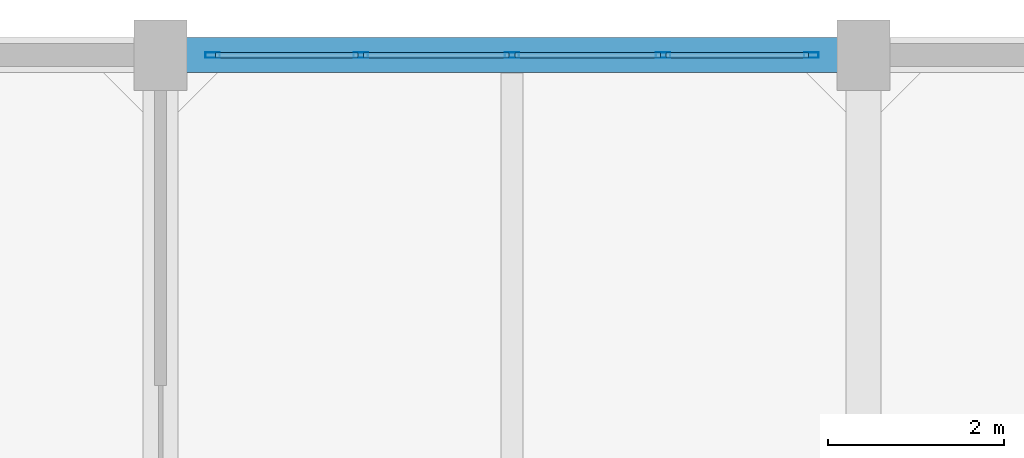
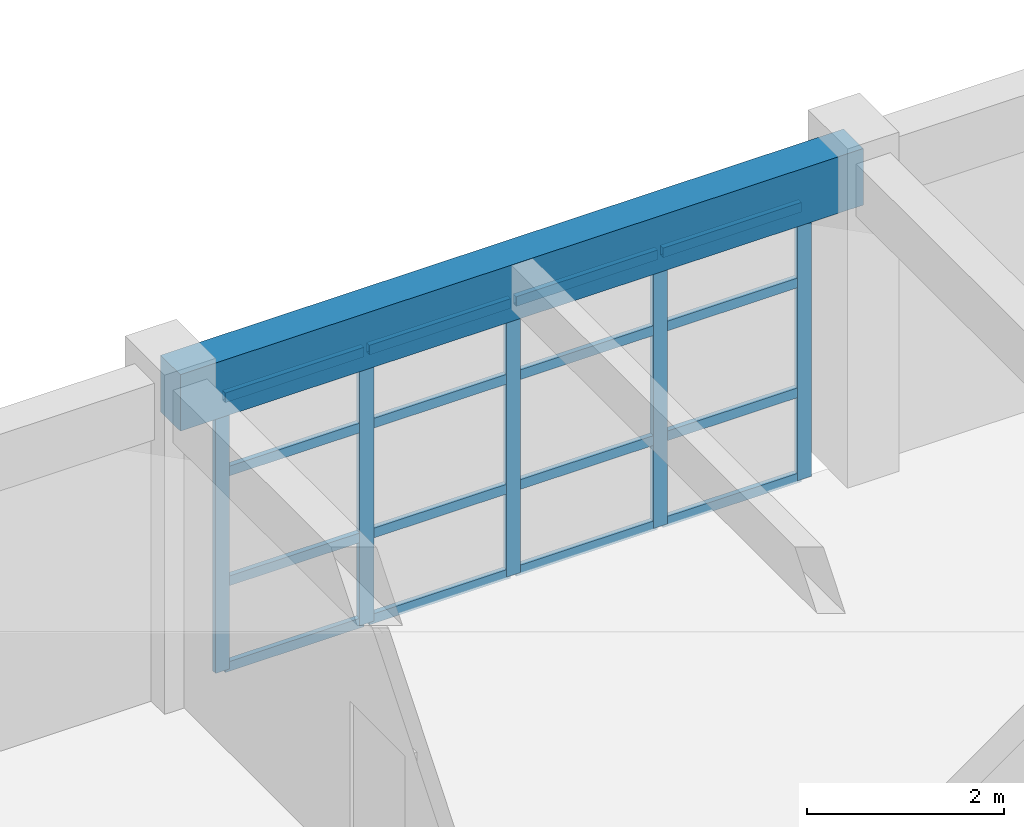
# One storey, part 17 of 27: 21 members, 1 beam, 1 element without a shape of its own.
"""IFC4 building model written with IfcOpenShell, lengths in metres."""

from ifc_helpers import new_model, si_unit, direction, frame, origin, origin_2d, place, context, subcontext, project, spatial, rectangle, hollow_rectangle, extrude, material, layer, layer_set, material_profile, profile_set, type_object, element, aggregate, save


model = new_model("IFC4")

# Units and contexts
model_context = context("Model", 3, precision=1e-05, world=origin(), true_north=direction((0.0, 1.0)))
body_context = subcontext(model_context, "Body", "Model", "MODEL_VIEW")
ifc_project = project(units=[si_unit("LENGTHUNIT", "METRE"), si_unit("AREAUNIT", "SQUARE_METRE"), si_unit("VOLUMEUNIT", "CUBIC_METRE"), si_unit("PLANEANGLEUNIT", "RADIAN"), si_unit("MASSUNIT", "GRAM", prefix="KILO")], contexts=[model_context])

# Site, building, storey
site_placement = place(None, origin())
site = spatial("IfcSite", under=ifc_project, at=site_placement, CompositionType="ELEMENT")
building_placement = place(site_placement, origin())
building = spatial("IfcBuilding", under=site, at=building_placement, Name="Canggui Botanical Conservatory", CompositionType="ELEMENT")
storey_placement = place(building_placement, frame((0.0, 0.0, 31.800048828125)))
storey = spatial("IfcBuildingStorey", under=building, at=storey_placement, Name="L08", CompositionType="ELEMENT", Elevation=31.800048828125)

# Beam
ifc_material_1 = material(Name="Concrete C35", Category="concrete")
ifc_material_profile_1 = material_profile(ifc_material_1, rectangle(XDim=0.39990234375, YDim=0.699951171875, at=origin_2d()), Name="RB 400x700")
ifc_profile_set_1 = profile_set([ifc_material_profile_1], Name="Concrete C35")
beam_type = type_object("IfcBeamType", Name="BM-KL11", PredefinedType="BEAM", material=ifc_profile_set_1)
beam_placement = place(storey_placement, frame((162.0, 74.0, 3.6298828125), z_axis=(1.0, 0.0, 0.0), x_axis=(0.0, 1.0, 0.0)))
element("IfcBeam", 1, at=beam_placement, inside=storey, type_object=beam_type, Name="Frame Girder L08 Y74-4", PredefinedType="BEAM", context=body_context, shape_type="SweptSolid", body=[
    extrude(rectangle(XDim=0.39990234375, YDim=0.699951171875, at=origin_2d()), origin(), (0.0, 0.0, 1.0), 8.0),
])

# Curtain wall, members
ifc_material_2 = material(Name="Thermally Broken Aluminium", Category="aluminium")
ifc_layer = layer(ifc_material_2, 0.1650390625, Name="Thermally Broken Aluminium", Category="aluminium")
ifc_layer_set = layer_set([ifc_layer], Name="Thermally Broken Aluminium")
curtain_wall_type = type_object("IfcCurtainWallType", Name="CW-UNIT-B", PredefinedType="USERDEFINED", material=ifc_layer_set)
curtain_wall_placement = place(storey_placement, origin())
curtain_wall = element("IfcCurtainWall", 2, at=curtain_wall_placement, inside=storey, type_object=curtain_wall_type, Name="Facade Curtain Wall CW-TWR-L08-14", ObjectType="UNITISED CURTAIN WALL", PredefinedType="USERDEFINED")
ifc_material_profile_2 = material_profile(ifc_material_2, hollow_rectangle(XDim=0.06494140625, YDim=0.1650390625, WallThickness=0.00390625, at=origin_2d()), Name="CWM 65x165x4")
ifc_profile_set_2 = profile_set([ifc_material_profile_2], Name="Thermally Broken Aluminium")
member_type_1 = type_object("IfcMemberType", Name="CWM-02", PredefinedType="MULLION", material=ifc_profile_set_2)
member_1_placement = place(storey_placement, frame((162.592529296875, 74.0, 0.0), z_axis=(0.0, 0.0, 1.0), x_axis=(0.0, 1.0, 0.0)))
member_1 = element("IfcMember", 3, at=member_1_placement, type_object=member_type_1, Name="CW-02 mullion 1", PredefinedType="MULLION", context=body_context, shape_type="SweptSolid", body=[
    extrude(hollow_rectangle(XDim=0.06494140625, YDim=0.1650390625, WallThickness=0.00390625, at=origin_2d()), origin(), (0.0, 0.0, 1.0), 3.39990234375),
])
member_2_placement = place(storey_placement, frame((164.280029296875, 74.0, 0.0), z_axis=(0.0, 0.0, 1.0), x_axis=(0.0, 1.0, 0.0)))
member_2 = element("IfcMember", 4, at=member_2_placement, type_object=member_type_1, Name="CW-02 mullion 2", PredefinedType="MULLION", context=body_context, shape_type="SweptSolid", body=[
    extrude(hollow_rectangle(XDim=0.06494140625, YDim=0.1650390625, WallThickness=0.00390625, at=origin_2d()), origin(), (0.0, 0.0, 1.0), 3.39990234375),
])
member_3_placement = place(storey_placement, frame((166.0, 74.0, 0.0), z_axis=(0.0, 0.0, 1.0), x_axis=(0.0, 1.0, 0.0)))
member_3 = element("IfcMember", 5, at=member_3_placement, type_object=member_type_1, Name="CW-02 mullion 3", PredefinedType="MULLION", context=body_context, shape_type="SweptSolid", body=[
    extrude(hollow_rectangle(XDim=0.06494140625, YDim=0.1650390625, WallThickness=0.00390625, at=origin_2d()), origin(), (0.0, 0.0, 1.0), 3.39990234375),
])
member_4_placement = place(storey_placement, frame((167.719970703125, 74.0, 0.0), z_axis=(0.0, 0.0, 1.0), x_axis=(0.0, 1.0, 0.0)))
member_4 = element("IfcMember", 6, at=member_4_placement, type_object=member_type_1, Name="CW-02 mullion 4", PredefinedType="MULLION", context=body_context, shape_type="SweptSolid", body=[
    extrude(hollow_rectangle(XDim=0.06494140625, YDim=0.1650390625, WallThickness=0.00390625, at=origin_2d()), origin(), (0.0, 0.0, 1.0), 3.39990234375),
])
member_5_placement = place(storey_placement, frame((169.407470703125, 74.0, 0.0), z_axis=(0.0, 0.0, 1.0), x_axis=(0.0, 1.0, 0.0)))
member_5 = element("IfcMember", 7, at=member_5_placement, type_object=member_type_1, Name="CW-02 mullion 5", PredefinedType="MULLION", context=body_context, shape_type="SweptSolid", body=[
    extrude(hollow_rectangle(XDim=0.06494140625, YDim=0.1650390625, WallThickness=0.00390625, at=origin_2d()), origin(), (0.0, 0.0, 1.0), 3.39990234375),
])
ifc_material_profile_3 = material_profile(ifc_material_2, hollow_rectangle(XDim=0.06005859375, YDim=0.1201171875, WallThickness=0.00341796875, at=origin_2d()), Name="CWT 60x120x3.5")
ifc_profile_set_3 = profile_set([ifc_material_profile_3], Name="Thermally Broken Aluminium")
member_type_2 = type_object("IfcMemberType", Name="CWT-02", PredefinedType="USERDEFINED", material=ifc_profile_set_3)
member_6_placement = place(storey_placement, frame((162.625, 74.0, 0.030029296875), z_axis=(1.0, 0.0, 0.0), x_axis=(0.0, 1.0, 0.0)))
member_6 = element("IfcMember", 8, at=member_6_placement, type_object=member_type_2, Name="CW-02 transom 1.1", ObjectType="TRANSOM", PredefinedType="USERDEFINED", context=body_context, shape_type="SweptSolid", body=[
    extrude(hollow_rectangle(XDim=0.06005859375, YDim=0.1201171875, WallThickness=0.00341796875, at=origin_2d()), origin(), (0.0, 0.0, 1.0), 1.62255859375),
])
member_7_placement = place(storey_placement, frame((162.625, 74.0, 1.087890625), z_axis=(1.0, 0.0, 0.0), x_axis=(0.0, 1.0, 0.0)))
member_7 = element("IfcMember", 9, at=member_7_placement, type_object=member_type_2, Name="CW-02 transom 1.2", ObjectType="TRANSOM", PredefinedType="USERDEFINED", context=body_context, shape_type="SweptSolid", body=[
    extrude(hollow_rectangle(XDim=0.06005859375, YDim=0.1201171875, WallThickness=0.00341796875, at=origin_2d()), origin(), (0.0, 0.0, 1.0), 1.62255859375),
])
member_8_placement = place(storey_placement, frame((162.625, 74.0, 2.447998046875), z_axis=(1.0, 0.0, 0.0), x_axis=(0.0, 1.0, 0.0)))
member_8 = element("IfcMember", 10, at=member_8_placement, type_object=member_type_2, Name="CW-02 transom 1.3", ObjectType="TRANSOM", PredefinedType="USERDEFINED", context=body_context, shape_type="SweptSolid", body=[
    extrude(hollow_rectangle(XDim=0.06005859375, YDim=0.1201171875, WallThickness=0.00341796875, at=origin_2d()), origin(), (0.0, 0.0, 1.0), 1.62255859375),
])
member_9_placement = place(storey_placement, frame((162.625, 74.0, 3.369873046875), z_axis=(1.0, 0.0, 0.0), x_axis=(0.0, 1.0, 0.0)))
member_9 = element("IfcMember", 11, at=member_9_placement, type_object=member_type_2, Name="CW-02 transom 1.4", ObjectType="TRANSOM", PredefinedType="USERDEFINED", context=body_context, shape_type="SweptSolid", body=[
    extrude(hollow_rectangle(XDim=0.06005859375, YDim=0.1201171875, WallThickness=0.00341796875, at=origin_2d()), origin(), (0.0, 0.0, 1.0), 1.62255859375),
])
member_10_placement = place(storey_placement, frame((164.3125, 74.0, 0.030029296875), z_axis=(1.0, 0.0, 0.0), x_axis=(0.0, 1.0, 0.0)))
member_10 = element("IfcMember", 12, at=member_10_placement, type_object=member_type_2, Name="CW-02 transom 2.1", ObjectType="TRANSOM", PredefinedType="USERDEFINED", context=body_context, shape_type="SweptSolid", body=[
    extrude(hollow_rectangle(XDim=0.06005859375, YDim=0.1201171875, WallThickness=0.00341796875, at=origin_2d()), origin(), (0.0, 0.0, 1.0), 1.655029296875),
])
member_11_placement = place(storey_placement, frame((164.3125, 74.0, 1.087890625), z_axis=(1.0, 0.0, 0.0), x_axis=(0.0, 1.0, 0.0)))
member_11 = element("IfcMember", 13, at=member_11_placement, type_object=member_type_2, Name="CW-02 transom 2.2", ObjectType="TRANSOM", PredefinedType="USERDEFINED", context=body_context, shape_type="SweptSolid", body=[
    extrude(hollow_rectangle(XDim=0.06005859375, YDim=0.1201171875, WallThickness=0.00341796875, at=origin_2d()), origin(), (0.0, 0.0, 1.0), 1.655029296875),
])
member_12_placement = place(storey_placement, frame((164.3125, 74.0, 2.447998046875), z_axis=(1.0, 0.0, 0.0), x_axis=(0.0, 1.0, 0.0)))
member_12 = element("IfcMember", 14, at=member_12_placement, type_object=member_type_2, Name="CW-02 transom 2.3", ObjectType="TRANSOM", PredefinedType="USERDEFINED", context=body_context, shape_type="SweptSolid", body=[
    extrude(hollow_rectangle(XDim=0.06005859375, YDim=0.1201171875, WallThickness=0.00341796875, at=origin_2d()), origin(), (0.0, 0.0, 1.0), 1.655029296875),
])
member_13_placement = place(storey_placement, frame((164.3125, 74.0, 3.369873046875), z_axis=(1.0, 0.0, 0.0), x_axis=(0.0, 1.0, 0.0)))
member_13 = element("IfcMember", 15, at=member_13_placement, type_object=member_type_2, Name="CW-02 transom 2.4", ObjectType="TRANSOM", PredefinedType="USERDEFINED", context=body_context, shape_type="SweptSolid", body=[
    extrude(hollow_rectangle(XDim=0.06005859375, YDim=0.1201171875, WallThickness=0.00341796875, at=origin_2d()), origin(), (0.0, 0.0, 1.0), 1.655029296875),
])
member_14_placement = place(storey_placement, frame((166.032470703125, 74.0, 0.030029296875), z_axis=(1.0, 0.0, 0.0), x_axis=(0.0, 1.0, 0.0)))
member_14 = element("IfcMember", 16, at=member_14_placement, type_object=member_type_2, Name="CW-02 transom 3.1", ObjectType="TRANSOM", PredefinedType="USERDEFINED", context=body_context, shape_type="SweptSolid", body=[
    extrude(hollow_rectangle(XDim=0.06005859375, YDim=0.1201171875, WallThickness=0.00341796875, at=origin_2d()), origin(), (0.0, 0.0, 1.0), 1.655029296875),
])
member_15_placement = place(storey_placement, frame((166.032470703125, 74.0, 1.087890625), z_axis=(1.0, 0.0, 0.0), x_axis=(0.0, 1.0, 0.0)))
member_15 = element("IfcMember", 17, at=member_15_placement, type_object=member_type_2, Name="CW-02 transom 3.2", ObjectType="TRANSOM", PredefinedType="USERDEFINED", context=body_context, shape_type="SweptSolid", body=[
    extrude(hollow_rectangle(XDim=0.06005859375, YDim=0.1201171875, WallThickness=0.00341796875, at=origin_2d()), origin(), (0.0, 0.0, 1.0), 1.655029296875),
])
member_16_placement = place(storey_placement, frame((166.032470703125, 74.0, 2.447998046875), z_axis=(1.0, 0.0, 0.0), x_axis=(0.0, 1.0, 0.0)))
member_16 = element("IfcMember", 18, at=member_16_placement, type_object=member_type_2, Name="CW-02 transom 3.3", ObjectType="TRANSOM", PredefinedType="USERDEFINED", context=body_context, shape_type="SweptSolid", body=[
    extrude(hollow_rectangle(XDim=0.06005859375, YDim=0.1201171875, WallThickness=0.00341796875, at=origin_2d()), origin(), (0.0, 0.0, 1.0), 1.655029296875),
])
member_17_placement = place(storey_placement, frame((166.032470703125, 74.0, 3.369873046875), z_axis=(1.0, 0.0, 0.0), x_axis=(0.0, 1.0, 0.0)))
member_17 = element("IfcMember", 19, at=member_17_placement, type_object=member_type_2, Name="CW-02 transom 3.4", ObjectType="TRANSOM", PredefinedType="USERDEFINED", context=body_context, shape_type="SweptSolid", body=[
    extrude(hollow_rectangle(XDim=0.06005859375, YDim=0.1201171875, WallThickness=0.00341796875, at=origin_2d()), origin(), (0.0, 0.0, 1.0), 1.655029296875),
])
member_18_placement = place(storey_placement, frame((167.75244140625, 74.0, 0.030029296875), z_axis=(1.0, 0.0, 0.0), x_axis=(0.0, 1.0, 0.0)))
member_18 = element("IfcMember", 20, at=member_18_placement, type_object=member_type_2, Name="CW-02 transom 4.1", ObjectType="TRANSOM", PredefinedType="USERDEFINED", context=body_context, shape_type="SweptSolid", body=[
    extrude(hollow_rectangle(XDim=0.06005859375, YDim=0.1201171875, WallThickness=0.00341796875, at=origin_2d()), origin(), (0.0, 0.0, 1.0), 1.62255859375),
])
member_19_placement = place(storey_placement, frame((167.75244140625, 74.0, 1.087890625), z_axis=(1.0, 0.0, 0.0), x_axis=(0.0, 1.0, 0.0)))
member_19 = element("IfcMember", 21, at=member_19_placement, type_object=member_type_2, Name="CW-02 transom 4.2", ObjectType="TRANSOM", PredefinedType="USERDEFINED", context=body_context, shape_type="SweptSolid", body=[
    extrude(hollow_rectangle(XDim=0.06005859375, YDim=0.1201171875, WallThickness=0.00341796875, at=origin_2d()), origin(), (0.0, 0.0, 1.0), 1.62255859375),
])
member_20_placement = place(storey_placement, frame((167.75244140625, 74.0, 2.447998046875), z_axis=(1.0, 0.0, 0.0), x_axis=(0.0, 1.0, 0.0)))
member_20 = element("IfcMember", 22, at=member_20_placement, type_object=member_type_2, Name="CW-02 transom 4.3", ObjectType="TRANSOM", PredefinedType="USERDEFINED", context=body_context, shape_type="SweptSolid", body=[
    extrude(hollow_rectangle(XDim=0.06005859375, YDim=0.1201171875, WallThickness=0.00341796875, at=origin_2d()), origin(), (0.0, 0.0, 1.0), 1.62255859375),
])
member_21_placement = place(storey_placement, frame((167.75244140625, 74.0, 3.369873046875), z_axis=(1.0, 0.0, 0.0), x_axis=(0.0, 1.0, 0.0)))
member_21 = element("IfcMember", 23, at=member_21_placement, type_object=member_type_2, Name="CW-02 transom 4.4", ObjectType="TRANSOM", PredefinedType="USERDEFINED", context=body_context, shape_type="SweptSolid", body=[
    extrude(hollow_rectangle(XDim=0.06005859375, YDim=0.1201171875, WallThickness=0.00341796875, at=origin_2d()), origin(), (0.0, 0.0, 1.0), 1.62255859375),
])
aggregate(curtain_wall, [member_1, member_2, member_3, member_4, member_5, member_6, member_7, member_8, member_9, member_10, member_11, member_12, member_13, member_14, member_15, member_16, member_17, member_18, member_19, member_20, member_21])

save(model, "model.ifc")
